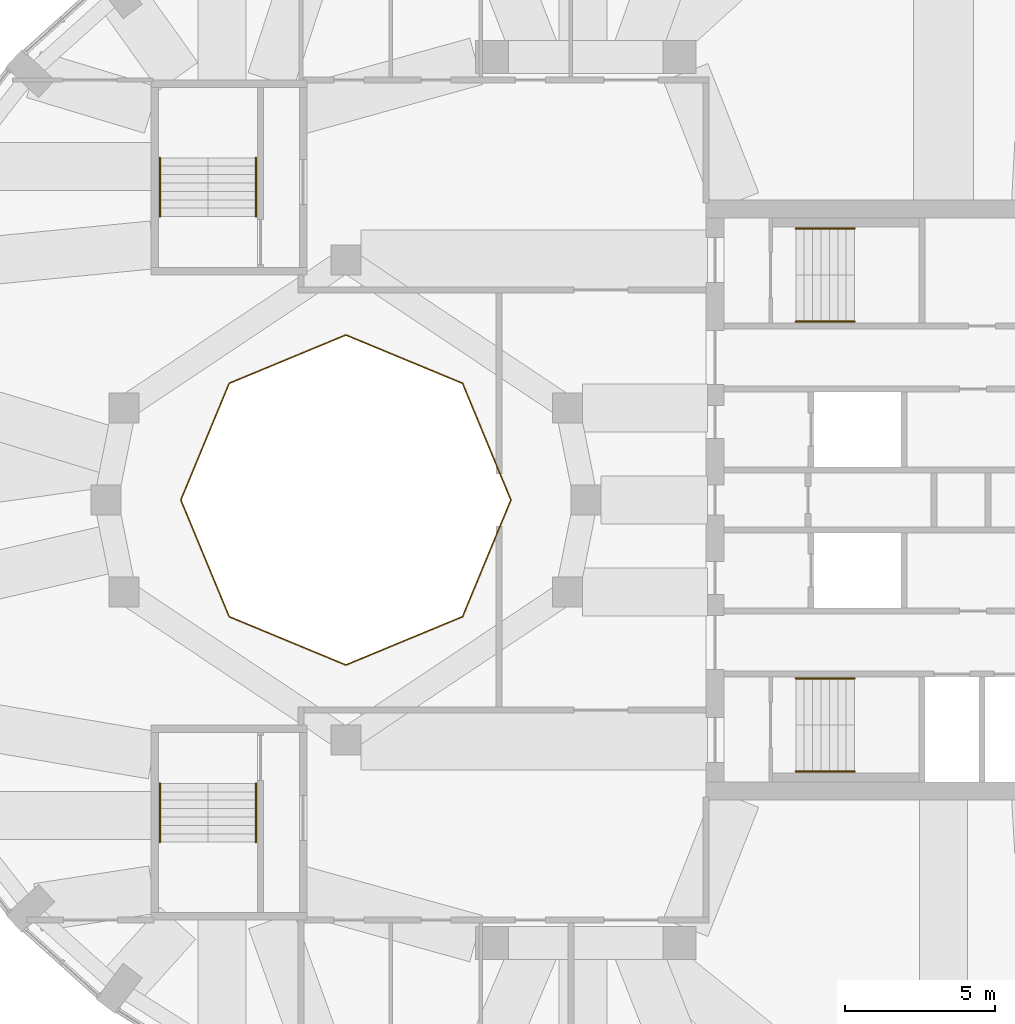
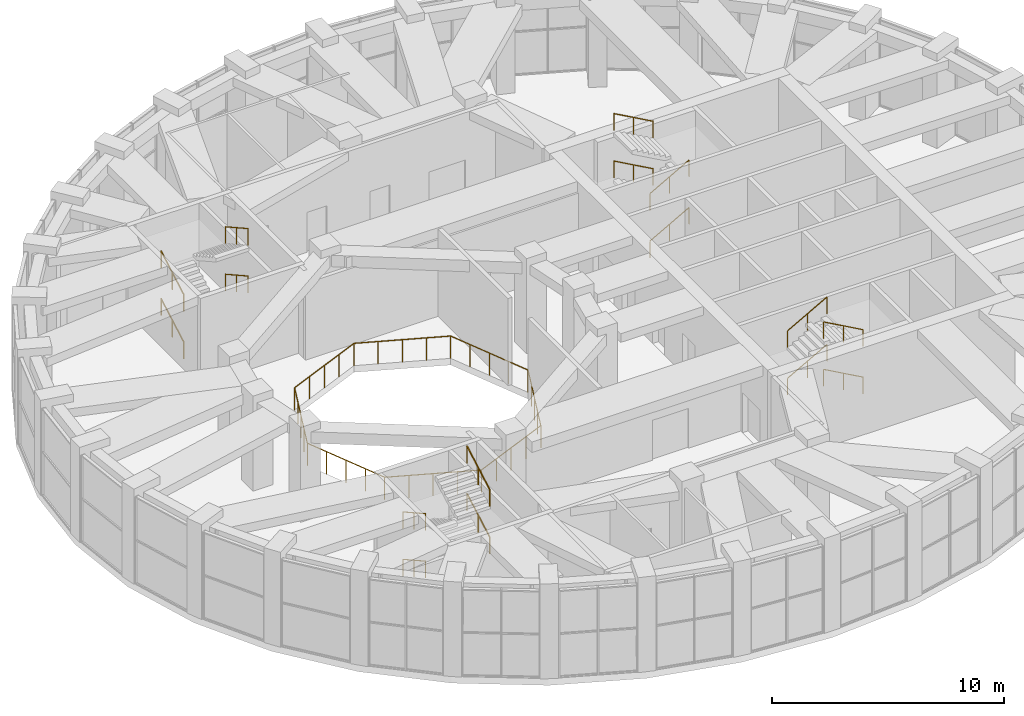
# One storey, part 16 of 16: 18 railings.
"""IFC4 building model written with IfcOpenShell, lengths in metres."""

import ifcopenshell
import ifcopenshell.guid

model = None  # the IFC model being written
_history = None  # IfcOwnerHistory: only IFC2X3 demands one
_inside = {}  # id of a spatial element -> (the spatial element, [elements in it])
_under = {}  # id of a project, library or spatial element -> (it, [spatial elements below it])
_declared = {}  # id of a project -> (the project, [libraries it declares])
_typed = {}  # id of a type object -> (the type object, [elements of that type])
_made_of = {}  # id of a material, layer set ... -> (it, [elements and type objects made of it])


def new_model(schema):
    """Start an empty IFC model of exactly this schema.

    Asked for "IFC4X3", IfcOpenShell would pick the latest addendum, in which some entities
    have other attributes; the version numbers below select the first issue.
    IFC2X3 requires an IfcOwnerHistory on every rooted entity: one is made here for all.
    """
    global model, _history
    if schema == "IFC4X3":
        model = ifcopenshell.file(schema_version=(4, 3, 0, 0))
    else:
        model = ifcopenshell.file(schema=schema)
    _inside.clear()
    _under.clear()
    _declared.clear()
    _typed.clear()
    _made_of.clear()
    _history = None
    if model.schema == "IFC2X3":
        org = make("IfcOrganization", Name="unknown")
        user = make(
            "IfcPersonAndOrganization",
            ThePerson=make("IfcPerson", FamilyName="unknown"),
            TheOrganization=org,
        )
        app = make(
            "IfcApplication",
            ApplicationDeveloper=org,
            Version="unknown",
            ApplicationFullName="unknown",
            ApplicationIdentifier="unknown",
        )
        _history = make(
            "IfcOwnerHistory",
            OwningUser=user,
            OwningApplication=app,
            ChangeAction="ADDED",
            CreationDate=0,
        )
    return model


def make(cls, **values):
    """One entity of the class cls with the attributes given. An attribute that is None is left unset."""
    return model.create_entity(
        cls, **{name: value for name, value in values.items() if value is not None}
    )


def rooted(cls, **values):
    """An entity with a GlobalId (a new one), such as an element, a storey or a relation."""
    return make(cls, GlobalId=ifcopenshell.guid.new(), OwnerHistory=_history, **values)


def si_unit(unit_type, name, prefix=None):
    """IfcSIUnit, for example si_unit("LENGTHUNIT", "METRE", prefix="MILLI")."""
    return make("IfcSIUnit", UnitType=unit_type, Prefix=prefix, Name=name)


def assignment(units):
    """IfcUnitAssignment: the units of a project."""
    return None if units is None else make("IfcUnitAssignment", Units=units)


def point(xyz):
    """IfcCartesianPoint."""
    return None if xyz is None else make("IfcCartesianPoint", Coordinates=xyz)


def direction(xyz):
    """IfcDirection."""
    return None if xyz is None else make("IfcDirection", DirectionRatios=xyz)


def frame(location, z_axis=None, x_axis=None):
    """IfcAxis2Placement3D, a coordinate frame: its origin and axes. An axis left out is left unset."""
    return make(
        "IfcAxis2Placement3D",
        Location=point(location),
        Axis=direction(z_axis),
        RefDirection=direction(x_axis),
    )


def frame_2d(location, x_axis=None):
    """IfcAxis2Placement2D, a coordinate frame in the plane: its origin and x axis."""
    return make(
        "IfcAxis2Placement2D", Location=point(location), RefDirection=direction(x_axis)
    )


def origin():
    """The frame at (0, 0, 0) with its axes left unset."""
    return frame((0.0, 0.0, 0.0))


def origin_2d():
    """The frame at (0, 0) in the plane with its x axis left unset."""
    return frame_2d((0.0, 0.0))


def place(relative_to, where):
    """IfcLocalPlacement: puts the frame where relative to a parent placement (None: the world)."""
    return make(
        "IfcLocalPlacement", PlacementRelTo=relative_to, RelativePlacement=where
    )


def context(
    kind, dimensions, precision=None, world=None, true_north=None, identifier=None
):
    """IfcGeometricRepresentationContext, for example the 3D "Model" context."""
    return make(
        "IfcGeometricRepresentationContext",
        ContextIdentifier=identifier,
        ContextType=kind,
        CoordinateSpaceDimension=dimensions,
        Precision=precision,
        WorldCoordinateSystem=world,
        TrueNorth=true_north,
    )


def subcontext(parent, identifier, kind, view, scale=None):
    """IfcGeometricRepresentationSubContext, for example "Body" below "Model"."""
    return make(
        "IfcGeometricRepresentationSubContext",
        ContextIdentifier=identifier,
        ContextType=kind,
        ParentContext=parent,
        TargetScale=scale,
        TargetView=view,
    )


def project(units=None, contexts=None):
    """IfcProject with its units and contexts."""
    return rooted(
        "IfcProject",
        Name="project",
        RepresentationContexts=contexts,
        UnitsInContext=assignment(units),
    )


def spatial(cls, under=None, at=None, **own):
    """A site, building, storey or space (cls), placed at a placement, below another one or the project."""
    s = rooted(cls, ObjectPlacement=at, **own)
    if under is not None:
        _under.setdefault(under.id(), (under, []))[1].append(s)
    return s


def profile(cls, at=None, kind="AREA", **sizes):
    """A parametric profile (cls). Its sizes go by their IFC names, for example OverallWidth=200.0."""
    return make(cls, ProfileType=kind, Position=at, **sizes)


def circle(**sizes):
    """IfcCircleProfileDef."""
    return profile("IfcCircleProfileDef", **sizes)


def extrude(swept, where, along, depth):
    """IfcExtrudedAreaSolid: the profile swept, set in the frame where, extruded along a direction by depth."""
    return make(
        "IfcExtrudedAreaSolid",
        SweptArea=swept,
        Position=where,
        ExtrudedDirection=direction(along),
        Depth=depth,
    )


def shape(context_of_items, identifier, shape_type, items):
    """IfcShapeRepresentation: the items that make up one representation, for example the "Body"."""
    return make(
        "IfcShapeRepresentation",
        ContextOfItems=context_of_items,
        RepresentationIdentifier=identifier,
        RepresentationType=shape_type,
        Items=items,
    )


def material(Name=None, Category=None):
    """IfcMaterial."""
    return make("IfcMaterial", Name=Name, Category=Category)


def made_of(thing, what):
    """Note that an element or type object is made of a material, layer set ...; save() writes the relation."""
    if what is not None:
        _made_of.setdefault(what.id(), (what, []))[1].append(thing)
    return thing


def type_object(cls, material=None, **own):
    """A type object (cls), such as IfcWallType, which elements share."""
    return made_of(rooted(cls, **own), material)


def element(
    cls,
    number,
    at=None,
    inside=None,
    cuts=None,
    type_object=None,
    material=None,
    context=None,
    identifier="Body",
    shape_type=None,
    held_by="IfcProductDefinitionShape",
    body=None,
    shapes=None,
    **own,
):
    """One element of the class cls, such as IfcWall. Its Tag is "e" and its number.

    at: its placement. inside: the storey or other place that contains it. cuts: it is an
    opening in that element (IfcRelVoidsElement). A single representation is given by context,
    identifier, shape_type and body (its items); several are given by shapes. held_by: the class
    of the entity that holds the representations. save() writes the other relations.
    """
    e = rooted(cls, Tag="e%d" % number, ObjectPlacement=at, **own)
    if body is not None:
        shapes = [shape(context, identifier, shape_type, body)]
    if shapes is not None:
        e.Representation = make(held_by, Representations=shapes)
    if inside is not None:
        _inside.setdefault(inside.id(), (inside, []))[1].append(e)
    if cuts is not None:
        rooted(
            "IfcRelVoidsElement", RelatingBuildingElement=cuts, RelatedOpeningElement=e
        )
    if type_object is not None:
        _typed.setdefault(type_object.id(), (type_object, []))[1].append(e)
    return made_of(e, material)


def aggregate(whole, parts):
    """IfcRelAggregates: a whole, such as a stair, and the parts it consists of."""
    return rooted("IfcRelAggregates", RelatingObject=whole, RelatedObjects=parts)


def save(model, path):
    """Write the relations noted so far, then the file.

    IfcRelAggregates (storeys below a building ...), IfcRelContainedInSpatialStructure (elements
    in a storey), IfcRelDefinesByType, IfcRelAssociatesMaterial and IfcRelDeclares: one each for
    every whole, place, type object, material and project.
    """
    for whole, parts in _under.values():
        aggregate(whole, parts)
    for where, things in _inside.values():
        rooted(
            "IfcRelContainedInSpatialStructure",
            RelatedElements=things,
            RelatingStructure=where,
        )
    for kind, things in _typed.values():
        rooted("IfcRelDefinesByType", RelatedObjects=things, RelatingType=kind)
    for what, things in _made_of.values():
        rooted("IfcRelAssociatesMaterial", RelatedObjects=things, RelatingMaterial=what)
    for by, libraries in _declared.values():
        rooted("IfcRelDeclares", RelatingContext=by, RelatedDefinitions=libraries)
    model.write(path)


model = new_model("IFC4")

# Units and contexts
model_context = context("Model", 3, precision=1e-05, world=origin(), true_north=direction((0.0, 1.0)))
body_context = subcontext(model_context, "Body", "Model", "MODEL_VIEW")
ifc_project = project(units=[si_unit("LENGTHUNIT", "METRE"), si_unit("AREAUNIT", "SQUARE_METRE"), si_unit("VOLUMEUNIT", "CUBIC_METRE"), si_unit("PLANEANGLEUNIT", "RADIAN"), si_unit("MASSUNIT", "GRAM", prefix="KILO")], contexts=[model_context])

# Site, building, storey
site_placement = place(None, origin())
site = spatial("IfcSite", under=ifc_project, at=site_placement, CompositionType="ELEMENT")
building_placement = place(site_placement, origin())
building = spatial("IfcBuilding", under=site, at=building_placement, Name="Taillehof Tower", CompositionType="ELEMENT")
storey_placement = place(building_placement, frame((0.0, 0.0, 264.199951171875)))
storey = spatial("IfcBuildingStorey", under=building, at=storey_placement, Name="L75", CompositionType="ELEMENT", Elevation=264.199951171875)

# Railings
ifc_material_1 = material(Name="Stainless steel and laminated glass", Category="steel")
railing_type_1 = type_object("IfcRailingType", Name="Guard 1200 mm", PredefinedType="GUARDRAIL", material=ifc_material_1)
railing_1_placement = place(storey_placement, frame((-2.5, 0.0, 0.0)))
element("IfcRailing", 1, at=railing_1_placement, inside=storey, type_object=railing_type_1, Name="Guard atrium", PredefinedType="GUARDRAIL", context=body_context, shape_type="SweptSolid", body=[
    extrude(circle(Radius=0.02392578125, at=origin_2d()), frame((0.0, 0.0, 1.17578125), z_axis=(-0.38266253946, 0.923888186359, 0.0), x_axis=(-0.923888186359, -0.38266253946, 0.0)), (0.0, 0.0, 1.0), 4.20947265625),
    extrude(circle(Radius=0.02392578125, at=origin_2d()), frame((-1.61083984375, 3.88916015625, 1.17578125), z_axis=(-0.923888186359, 0.38266253946, 0.0), x_axis=(-0.38266253946, -0.923888186359, 0.0)), (0.0, 0.0, 1.0), 4.20947265625),
    extrude(circle(Radius=0.02392578125, at=origin_2d()), frame((-5.5, 5.5, 1.17578125), z_axis=(-0.923888186359, -0.38266253946, 0.0), x_axis=(0.38266253946, -0.923888186359, 0.0)), (0.0, 0.0, 1.0), 4.20947265625),
    extrude(circle(Radius=0.02392578125, at=origin_2d()), frame((-9.38916015625, 3.88916015625, 1.17578125), z_axis=(-0.38266253946, -0.923888186359, 0.0), x_axis=(0.923888186359, -0.38266253946, 0.0)), (0.0, 0.0, 1.0), 4.20947265625),
    extrude(circle(Radius=0.02099609375, at=origin_2d()), origin(), (0.0, 0.0, 1.0), 1.15185546875),
    extrude(circle(Radius=0.02099609375, at=origin_2d()), frame((-0.40283203125, 0.97216796875, 0.0)), (0.0, 0.0, 1.0), 1.15185546875),
    extrude(circle(Radius=0.02099609375, at=origin_2d()), frame((-0.805419921875, 1.944580078125, 0.0)), (0.0, 0.0, 1.0), 1.15185546875),
    extrude(circle(Radius=0.02099609375, at=origin_2d()), frame((-1.2080078125, 2.9169921875, 0.0)), (0.0, 0.0, 1.0), 1.15185546875),
    extrude(circle(Radius=0.02099609375, at=origin_2d()), frame((-1.61083984375, 3.88916015625, 0.0)), (0.0, 0.0, 1.0), 1.15185546875),
    extrude(circle(Radius=0.02099609375, at=origin_2d()), frame((-2.5830078125, 4.2919921875, 0.0)), (0.0, 0.0, 1.0), 1.15185546875),
    extrude(circle(Radius=0.02099609375, at=origin_2d()), frame((-3.555419921875, 4.694580078125, 0.0)), (0.0, 0.0, 1.0), 1.15185546875),
    extrude(circle(Radius=0.02099609375, at=origin_2d()), frame((-4.52783203125, 5.09716796875, 0.0)), (0.0, 0.0, 1.0), 1.15185546875),
    extrude(circle(Radius=0.02099609375, at=origin_2d()), frame((-5.5, 5.5, 0.0)), (0.0, 0.0, 1.0), 1.15185546875),
    extrude(circle(Radius=0.02099609375, at=origin_2d()), frame((-6.47216796875, 5.09716796875, 0.0)), (0.0, 0.0, 1.0), 1.15185546875),
    extrude(circle(Radius=0.02099609375, at=origin_2d()), frame((-7.444580078125, 4.694580078125, 0.0)), (0.0, 0.0, 1.0), 1.15185546875),
    extrude(circle(Radius=0.02099609375, at=origin_2d()), frame((-8.4169921875, 4.2919921875, 0.0)), (0.0, 0.0, 1.0), 1.15185546875),
    extrude(circle(Radius=0.02099609375, at=origin_2d()), frame((-9.38916015625, 3.88916015625, 0.0)), (0.0, 0.0, 1.0), 1.15185546875),
    extrude(circle(Radius=0.02099609375, at=origin_2d()), frame((-9.7919921875, 2.9169921875, 0.0)), (0.0, 0.0, 1.0), 1.15185546875),
    extrude(circle(Radius=0.02099609375, at=origin_2d()), frame((-10.194580078125, 1.944580078125, 0.0)), (0.0, 0.0, 1.0), 1.15185546875),
    extrude(circle(Radius=0.02099609375, at=origin_2d()), frame((-10.59716796875, 0.97216796875, 0.0)), (0.0, 0.0, 1.0), 1.15185546875),
    extrude(circle(Radius=0.02099609375, at=origin_2d()), frame((-11.0, 0.0, 0.0)), (0.0, 0.0, 1.0), 1.15185546875),
])
railing_2_placement = place(storey_placement, frame((-13.5, 0.0, 0.0)))
element("IfcRailing", 2, at=railing_2_placement, inside=storey, type_object=railing_type_1, Name="Guard atrium", PredefinedType="GUARDRAIL", context=body_context, shape_type="SweptSolid", body=[
    extrude(circle(Radius=0.02392578125, at=origin_2d()), frame((0.0, 0.0, 1.17578125), z_axis=(0.38266253946, -0.923888186359, 0.0), x_axis=(0.923888186359, 0.38266253946, 0.0)), (0.0, 0.0, 1.0), 4.20947265625),
    extrude(circle(Radius=0.02392578125, at=origin_2d()), frame((1.61083984375, -3.88916015625, 1.17578125), z_axis=(0.923888186359, -0.38266253946, 0.0), x_axis=(0.38266253946, 0.923888186359, 0.0)), (0.0, 0.0, 1.0), 4.20947265625),
    extrude(circle(Radius=0.02392578125, at=origin_2d()), frame((5.5, -5.5, 1.17578125), z_axis=(0.923888186359, 0.38266253946, 0.0), x_axis=(-0.38266253946, 0.923888186359, 0.0)), (0.0, 0.0, 1.0), 4.20947265625),
    extrude(circle(Radius=0.02392578125, at=origin_2d()), frame((9.38916015625, -3.88916015625, 1.17578125), z_axis=(0.38266253946, 0.923888186359, 0.0), x_axis=(-0.923888186359, 0.38266253946, 0.0)), (0.0, 0.0, 1.0), 4.20947265625),
    extrude(circle(Radius=0.02099609375, at=origin_2d()), origin(), (0.0, 0.0, 1.0), 1.15185546875),
    extrude(circle(Radius=0.02099609375, at=origin_2d()), frame((0.40283203125, -0.97216796875, 0.0)), (0.0, 0.0, 1.0), 1.15185546875),
    extrude(circle(Radius=0.02099609375, at=origin_2d()), frame((0.805419921875, -1.944580078125, 0.0)), (0.0, 0.0, 1.0), 1.15185546875),
    extrude(circle(Radius=0.02099609375, at=origin_2d()), frame((1.2080078125, -2.9169921875, 0.0)), (0.0, 0.0, 1.0), 1.15185546875),
    extrude(circle(Radius=0.02099609375, at=origin_2d()), frame((1.61083984375, -3.88916015625, 0.0)), (0.0, 0.0, 1.0), 1.15185546875),
    extrude(circle(Radius=0.02099609375, at=origin_2d()), frame((2.5830078125, -4.2919921875, 0.0)), (0.0, 0.0, 1.0), 1.15185546875),
    extrude(circle(Radius=0.02099609375, at=origin_2d()), frame((3.555419921875, -4.694580078125, 0.0)), (0.0, 0.0, 1.0), 1.15185546875),
    extrude(circle(Radius=0.02099609375, at=origin_2d()), frame((4.52783203125, -5.09716796875, 0.0)), (0.0, 0.0, 1.0), 1.15185546875),
    extrude(circle(Radius=0.02099609375, at=origin_2d()), frame((5.5, -5.5, 0.0)), (0.0, 0.0, 1.0), 1.15185546875),
    extrude(circle(Radius=0.02099609375, at=origin_2d()), frame((6.47216796875, -5.09716796875, 0.0)), (0.0, 0.0, 1.0), 1.15185546875),
    extrude(circle(Radius=0.02099609375, at=origin_2d()), frame((7.444580078125, -4.694580078125, 0.0)), (0.0, 0.0, 1.0), 1.15185546875),
    extrude(circle(Radius=0.02099609375, at=origin_2d()), frame((8.4169921875, -4.2919921875, 0.0)), (0.0, 0.0, 1.0), 1.15185546875),
    extrude(circle(Radius=0.02099609375, at=origin_2d()), frame((9.38916015625, -3.88916015625, 0.0)), (0.0, 0.0, 1.0), 1.15185546875),
    extrude(circle(Radius=0.02099609375, at=origin_2d()), frame((9.7919921875, -2.9169921875, 0.0)), (0.0, 0.0, 1.0), 1.15185546875),
    extrude(circle(Radius=0.02099609375, at=origin_2d()), frame((10.194580078125, -1.944580078125, 0.0)), (0.0, 0.0, 1.0), 1.15185546875),
    extrude(circle(Radius=0.02099609375, at=origin_2d()), frame((10.59716796875, -0.97216796875, 0.0)), (0.0, 0.0, 1.0), 1.15185546875),
    extrude(circle(Radius=0.02099609375, at=origin_2d()), frame((11.0, 0.0, 0.0)), (0.0, 0.0, 1.0), 1.15185546875),
])
ifc_material_2 = material(Name="Stainless steel", Category="steel")
railing_type_2 = type_object("IfcRailingType", Name="Stair handrail 900", PredefinedType="HANDRAIL", material=ifc_material_2)
railing_3_placement = place(storey_placement, frame((7.0, 5.949951171875, 0.15625)))
element("IfcRailing", 3, at=railing_3_placement, inside=storey, type_object=railing_type_2, Name="Stair S1 handrail", PredefinedType="HANDRAIL", context=body_context, shape_type="SweptSolid", body=[
    extrude(circle(Radius=0.02392578125, at=origin_2d()), frame((0.0, 0.0, 0.8759765625), z_axis=(0.873232148454, 0.0, 0.487304437602), x_axis=(0.0, 1.0, 0.0)), (0.0, 0.0, 1.0), 2.244384765625),
    extrude(circle(Radius=0.02099609375, at=origin_2d()), origin(), (0.0, 0.0, 1.0), 0.851806640625),
    extrude(circle(Radius=0.02099609375, at=origin_2d()), frame((0.97998046875, 0.0, 0.546875)), (0.0, 0.0, 1.0), 0.851806640625),
    extrude(circle(Radius=0.02099609375, at=origin_2d()), frame((1.9599609375, 0.0, 1.09375)), (0.0, 0.0, 1.0), 0.851806640625),
])
railing_4_placement = place(storey_placement, frame((8.9599609375, 9.050048828125, 1.40625)))
element("IfcRailing", 4, at=railing_4_placement, inside=storey, type_object=railing_type_2, Name="Stair S1 handrail", PredefinedType="HANDRAIL", context=body_context, shape_type="SweptSolid", body=[
    extrude(circle(Radius=0.02392578125, at=origin_2d()), frame((0.0, 0.0, 0.8759765625), z_axis=(-0.873232148454, 0.0, 0.487304437602), x_axis=(0.0, -1.0, 0.0)), (0.0, 0.0, 1.0), 2.244384765625),
    extrude(circle(Radius=0.02099609375, at=origin_2d()), origin(), (0.0, 0.0, 1.0), 0.851806640625),
    extrude(circle(Radius=0.02099609375, at=origin_2d()), frame((-0.97998046875, 0.0, 0.546875)), (0.0, 0.0, 1.0), 0.851806640625),
    extrude(circle(Radius=0.02099609375, at=origin_2d()), frame((-1.9599609375, 0.0, 1.09375)), (0.0, 0.0, 1.0), 0.851806640625),
])
railing_5_placement = place(storey_placement, frame((7.0, 5.949951171875, 2.65625)))
element("IfcRailing", 5, at=railing_5_placement, inside=storey, type_object=railing_type_2, Name="Stair S1 handrail", PredefinedType="HANDRAIL", context=body_context, shape_type="SweptSolid", body=[
    extrude(circle(Radius=0.02392578125, at=origin_2d()), frame((0.0, 0.0, 0.8759765625), z_axis=(0.873232148454, 0.0, 0.487304437602), x_axis=(0.0, 1.0, 0.0)), (0.0, 0.0, 1.0), 2.244384765625),
    extrude(circle(Radius=0.02099609375, at=origin_2d()), origin(), (0.0, 0.0, 1.0), 0.851806640625),
    extrude(circle(Radius=0.02099609375, at=origin_2d()), frame((0.97998046875, 0.0, 0.546875)), (0.0, 0.0, 1.0), 0.851806640625),
    extrude(circle(Radius=0.02099609375, at=origin_2d()), frame((1.9599609375, 0.0, 1.09375)), (0.0, 0.0, 1.0), 0.851806640625),
])
railing_6_placement = place(storey_placement, frame((8.9599609375, 9.050048828125, 3.90625)))
element("IfcRailing", 6, at=railing_6_placement, inside=storey, type_object=railing_type_2, Name="Stair S1 handrail", PredefinedType="HANDRAIL", context=body_context, shape_type="SweptSolid", body=[
    extrude(circle(Radius=0.02392578125, at=origin_2d()), frame((0.0, 0.0, 0.8759765625), z_axis=(-0.873232148454, 0.0, 0.487304437602), x_axis=(0.0, -1.0, 0.0)), (0.0, 0.0, 1.0), 2.244384765625),
    extrude(circle(Radius=0.02099609375, at=origin_2d()), origin(), (0.0, 0.0, 1.0), 0.851806640625),
    extrude(circle(Radius=0.02099609375, at=origin_2d()), frame((-0.97998046875, 0.0, 0.546875)), (0.0, 0.0, 1.0), 0.851806640625),
    extrude(circle(Radius=0.02099609375, at=origin_2d()), frame((-1.9599609375, 0.0, 1.09375)), (0.0, 0.0, 1.0), 0.851806640625),
])
railing_7_placement = place(storey_placement, frame((7.0, -5.949951171875, 0.15625)))
element("IfcRailing", 7, at=railing_7_placement, inside=storey, type_object=railing_type_2, Name="Stair S2 handrail", PredefinedType="HANDRAIL", context=body_context, shape_type="SweptSolid", body=[
    extrude(circle(Radius=0.02392578125, at=origin_2d()), frame((0.0, 0.0, 0.8759765625), z_axis=(0.873232148454, 0.0, 0.487304437602), x_axis=(0.0, 1.0, 0.0)), (0.0, 0.0, 1.0), 2.244384765625),
    extrude(circle(Radius=0.02099609375, at=origin_2d()), origin(), (0.0, 0.0, 1.0), 0.851806640625),
    extrude(circle(Radius=0.02099609375, at=origin_2d()), frame((0.97998046875, 0.0, 0.546875)), (0.0, 0.0, 1.0), 0.851806640625),
    extrude(circle(Radius=0.02099609375, at=origin_2d()), frame((1.9599609375, 0.0, 1.09375)), (0.0, 0.0, 1.0), 0.851806640625),
])
railing_8_placement = place(storey_placement, frame((8.9599609375, -9.050048828125, 1.40625)))
element("IfcRailing", 8, at=railing_8_placement, inside=storey, type_object=railing_type_2, Name="Stair S2 handrail", PredefinedType="HANDRAIL", context=body_context, shape_type="SweptSolid", body=[
    extrude(circle(Radius=0.02392578125, at=origin_2d()), frame((0.0, 0.0, 0.8759765625), z_axis=(-0.873232148454, 0.0, 0.487304437602), x_axis=(0.0, -1.0, 0.0)), (0.0, 0.0, 1.0), 2.244384765625),
    extrude(circle(Radius=0.02099609375, at=origin_2d()), origin(), (0.0, 0.0, 1.0), 0.851806640625),
    extrude(circle(Radius=0.02099609375, at=origin_2d()), frame((-0.97998046875, 0.0, 0.546875)), (0.0, 0.0, 1.0), 0.851806640625),
    extrude(circle(Radius=0.02099609375, at=origin_2d()), frame((-1.9599609375, 0.0, 1.09375)), (0.0, 0.0, 1.0), 0.851806640625),
])
railing_9_placement = place(storey_placement, frame((7.0, -5.949951171875, 2.65625)))
element("IfcRailing", 9, at=railing_9_placement, inside=storey, type_object=railing_type_2, Name="Stair S2 handrail", PredefinedType="HANDRAIL", context=body_context, shape_type="SweptSolid", body=[
    extrude(circle(Radius=0.02392578125, at=origin_2d()), frame((0.0, 0.0, 0.8759765625), z_axis=(0.873232148454, 0.0, 0.487304437602), x_axis=(0.0, 1.0, 0.0)), (0.0, 0.0, 1.0), 2.244384765625),
    extrude(circle(Radius=0.02099609375, at=origin_2d()), origin(), (0.0, 0.0, 1.0), 0.851806640625),
    extrude(circle(Radius=0.02099609375, at=origin_2d()), frame((0.97998046875, 0.0, 0.546875)), (0.0, 0.0, 1.0), 0.851806640625),
    extrude(circle(Radius=0.02099609375, at=origin_2d()), frame((1.9599609375, 0.0, 1.09375)), (0.0, 0.0, 1.0), 0.851806640625),
])
railing_10_placement = place(storey_placement, frame((8.9599609375, -9.050048828125, 3.90625)))
element("IfcRailing", 10, at=railing_10_placement, inside=storey, type_object=railing_type_2, Name="Stair S2 handrail", PredefinedType="HANDRAIL", context=body_context, shape_type="SweptSolid", body=[
    extrude(circle(Radius=0.02392578125, at=origin_2d()), frame((0.0, 0.0, 0.8759765625), z_axis=(-0.873232148454, 0.0, 0.487304437602), x_axis=(0.0, -1.0, 0.0)), (0.0, 0.0, 1.0), 2.244384765625),
    extrude(circle(Radius=0.02099609375, at=origin_2d()), origin(), (0.0, 0.0, 1.0), 0.851806640625),
    extrude(circle(Radius=0.02099609375, at=origin_2d()), frame((-0.97998046875, 0.0, 0.546875)), (0.0, 0.0, 1.0), 0.851806640625),
    extrude(circle(Radius=0.02099609375, at=origin_2d()), frame((-1.9599609375, 0.0, 1.09375)), (0.0, 0.0, 1.0), 0.851806640625),
])
railing_11_placement = place(storey_placement, frame((-14.199951171875, 9.449951171875, 0.15625)))
element("IfcRailing", 11, at=railing_11_placement, inside=storey, type_object=railing_type_2, Name="Stair S3 handrail", PredefinedType="HANDRAIL", context=body_context, shape_type="SweptSolid", body=[
    extrude(circle(Radius=0.02392578125, at=origin_2d()), frame((0.0, 0.0, 0.8759765625), z_axis=(0.0, 0.873232148454, 0.487304437602), x_axis=(-1.0, 0.0, 0.0)), (0.0, 0.0, 1.0), 2.244384765625),
    extrude(circle(Radius=0.02099609375, at=origin_2d()), origin(), (0.0, 0.0, 1.0), 0.851806640625),
    extrude(circle(Radius=0.02099609375, at=origin_2d()), frame((0.0, 0.97998046875, 0.546875)), (0.0, 0.0, 1.0), 0.851806640625),
    extrude(circle(Radius=0.02099609375, at=origin_2d()), frame((0.0, 1.9599609375, 1.09375)), (0.0, 0.0, 1.0), 0.851806640625),
])
railing_12_placement = place(storey_placement, frame((-11.0, 11.409912109375, 1.40625)))
element("IfcRailing", 12, at=railing_12_placement, inside=storey, type_object=railing_type_2, Name="Stair S3 handrail", PredefinedType="HANDRAIL", context=body_context, shape_type="SweptSolid", body=[
    extrude(circle(Radius=0.02392578125, at=origin_2d()), frame((0.0, 0.0, 0.8759765625), z_axis=(0.0, -0.873232148454, 0.487304437602), x_axis=(1.0, 0.0, 0.0)), (0.0, 0.0, 1.0), 2.244384765625),
    extrude(circle(Radius=0.02099609375, at=origin_2d()), origin(), (0.0, 0.0, 1.0), 0.851806640625),
    extrude(circle(Radius=0.02099609375, at=origin_2d()), frame((0.0, -0.97998046875, 0.546875)), (0.0, 0.0, 1.0), 0.851806640625),
    extrude(circle(Radius=0.02099609375, at=origin_2d()), frame((0.0, -1.9599609375, 1.09375)), (0.0, 0.0, 1.0), 0.851806640625),
])
railing_13_placement = place(storey_placement, frame((-14.199951171875, 9.449951171875, 2.65625)))
element("IfcRailing", 13, at=railing_13_placement, inside=storey, type_object=railing_type_2, Name="Stair S3 handrail", PredefinedType="HANDRAIL", context=body_context, shape_type="SweptSolid", body=[
    extrude(circle(Radius=0.02392578125, at=origin_2d()), frame((0.0, 0.0, 0.8759765625), z_axis=(0.0, 0.873232148454, 0.487304437602), x_axis=(-1.0, 0.0, 0.0)), (0.0, 0.0, 1.0), 2.244384765625),
    extrude(circle(Radius=0.02099609375, at=origin_2d()), origin(), (0.0, 0.0, 1.0), 0.851806640625),
    extrude(circle(Radius=0.02099609375, at=origin_2d()), frame((0.0, 0.97998046875, 0.546875)), (0.0, 0.0, 1.0), 0.851806640625),
    extrude(circle(Radius=0.02099609375, at=origin_2d()), frame((0.0, 1.9599609375, 1.09375)), (0.0, 0.0, 1.0), 0.851806640625),
])
for number, where, name in (
    (14, (-11.0, 11.409912109375, 3.90625), "Stair S3 handrail"),
    (15, (-14.199951171875, -9.449951171875, 0.15625), "Stair S4 handrail"),
):
    element("IfcRailing", number, at=place(storey_placement, frame(where)), inside=storey, type_object=railing_type_2, Name=name, PredefinedType="HANDRAIL", context=body_context, shape_type="SweptSolid", body=[
        extrude(circle(Radius=0.02392578125, at=origin_2d()), frame((0.0, 0.0, 0.8759765625), z_axis=(0.0, -0.873232148454, 0.487304437602), x_axis=(1.0, 0.0, 0.0)), (0.0, 0.0, 1.0), 2.244384765625),
        extrude(circle(Radius=0.02099609375, at=origin_2d()), origin(), (0.0, 0.0, 1.0), 0.851806640625),
        extrude(circle(Radius=0.02099609375, at=origin_2d()), frame((0.0, -0.97998046875, 0.546875)), (0.0, 0.0, 1.0), 0.851806640625),
        extrude(circle(Radius=0.02099609375, at=origin_2d()), frame((0.0, -1.9599609375, 1.09375)), (0.0, 0.0, 1.0), 0.851806640625),
    ])
railing_14_placement = place(storey_placement, frame((-11.0, -11.409912109375, 1.40625)))
element("IfcRailing", 16, at=railing_14_placement, inside=storey, type_object=railing_type_2, Name="Stair S4 handrail", PredefinedType="HANDRAIL", context=body_context, shape_type="SweptSolid", body=[
    extrude(circle(Radius=0.02392578125, at=origin_2d()), frame((0.0, 0.0, 0.8759765625), z_axis=(0.0, 0.873232148454, 0.487304437602), x_axis=(-1.0, 0.0, 0.0)), (0.0, 0.0, 1.0), 2.244384765625),
    extrude(circle(Radius=0.02099609375, at=origin_2d()), origin(), (0.0, 0.0, 1.0), 0.851806640625),
    extrude(circle(Radius=0.02099609375, at=origin_2d()), frame((0.0, 0.97998046875, 0.546875)), (0.0, 0.0, 1.0), 0.851806640625),
    extrude(circle(Radius=0.02099609375, at=origin_2d()), frame((0.0, 1.9599609375, 1.09375)), (0.0, 0.0, 1.0), 0.851806640625),
])
railing_15_placement = place(storey_placement, frame((-14.199951171875, -9.449951171875, 2.65625)))
element("IfcRailing", 17, at=railing_15_placement, inside=storey, type_object=railing_type_2, Name="Stair S4 handrail", PredefinedType="HANDRAIL", context=body_context, shape_type="SweptSolid", body=[
    extrude(circle(Radius=0.02392578125, at=origin_2d()), frame((0.0, 0.0, 0.8759765625), z_axis=(0.0, -0.873232148454, 0.487304437602), x_axis=(1.0, 0.0, 0.0)), (0.0, 0.0, 1.0), 2.244384765625),
    extrude(circle(Radius=0.02099609375, at=origin_2d()), origin(), (0.0, 0.0, 1.0), 0.851806640625),
    extrude(circle(Radius=0.02099609375, at=origin_2d()), frame((0.0, -0.97998046875, 0.546875)), (0.0, 0.0, 1.0), 0.851806640625),
    extrude(circle(Radius=0.02099609375, at=origin_2d()), frame((0.0, -1.9599609375, 1.09375)), (0.0, 0.0, 1.0), 0.851806640625),
])
railing_16_placement = place(storey_placement, frame((-11.0, -11.409912109375, 3.90625)))
element("IfcRailing", 18, at=railing_16_placement, inside=storey, type_object=railing_type_2, Name="Stair S4 handrail", PredefinedType="HANDRAIL", context=body_context, shape_type="SweptSolid", body=[
    extrude(circle(Radius=0.02392578125, at=origin_2d()), frame((0.0, 0.0, 0.8759765625), z_axis=(0.0, 0.873232148454, 0.487304437602), x_axis=(-1.0, 0.0, 0.0)), (0.0, 0.0, 1.0), 2.244384765625),
    extrude(circle(Radius=0.02099609375, at=origin_2d()), origin(), (0.0, 0.0, 1.0), 0.851806640625),
    extrude(circle(Radius=0.02099609375, at=origin_2d()), frame((0.0, 0.97998046875, 0.546875)), (0.0, 0.0, 1.0), 0.851806640625),
    extrude(circle(Radius=0.02099609375, at=origin_2d()), frame((0.0, 1.9599609375, 1.09375)), (0.0, 0.0, 1.0), 0.851806640625),
])

save(model, "model.ifc")
